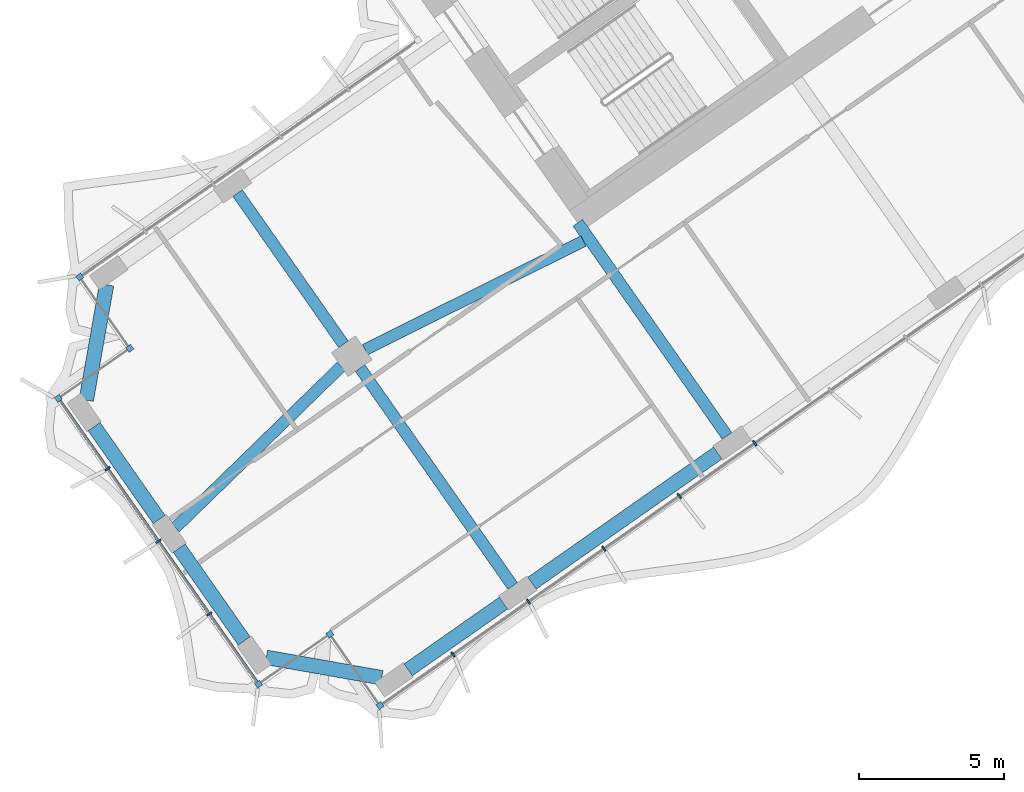
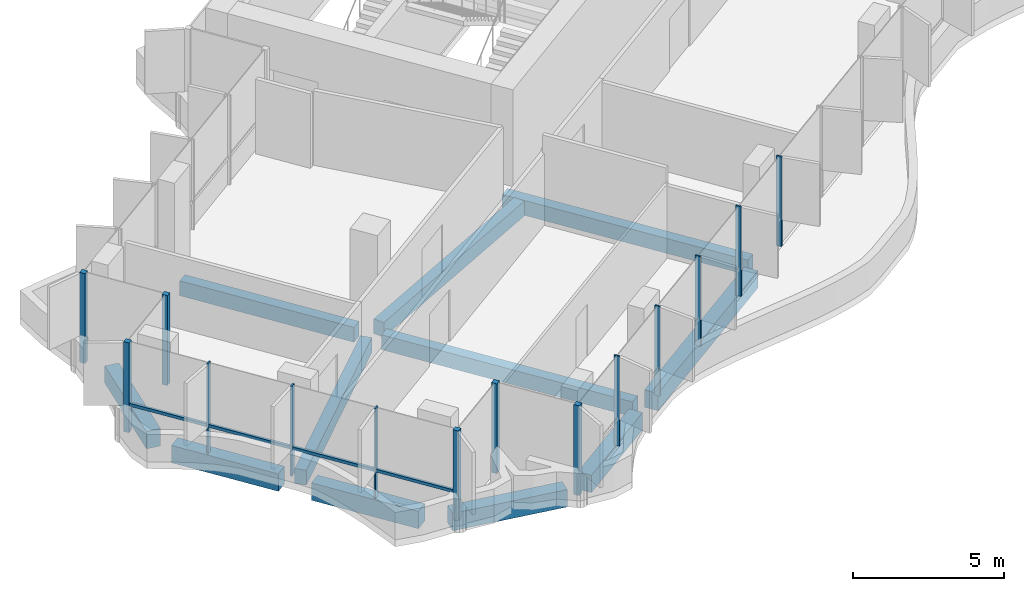
# One storey, part 2 of 21: 15 members, 11 beams, 1 element without a shape of its own.
"""IFC4 building model written with IfcOpenShell, lengths in metres."""

from ifc_helpers import new_model, si_unit, direction, frame, origin, origin_2d, place, context, subcontext, project, spatial, rectangle, extrude, material, material_profile, profile_set, type_object, element, aggregate, save


model = new_model("IFC4")

# Units and contexts
model_context = context("Model", 3, precision=1e-05, world=origin(), true_north=direction((0.0, 1.0)))
body_context = subcontext(model_context, "Body", "Model", "MODEL_VIEW")
ifc_project = project(units=[si_unit("LENGTHUNIT", "METRE"), si_unit("AREAUNIT", "SQUARE_METRE"), si_unit("VOLUMEUNIT", "CUBIC_METRE"), si_unit("PLANEANGLEUNIT", "RADIAN"), si_unit("MASSUNIT", "GRAM", prefix="KILO")], contexts=[model_context])

# Site, building, storey
site_placement = place(None, origin())
site = spatial("IfcSite", under=ifc_project, at=site_placement, CompositionType="ELEMENT")
building_placement = place(site_placement, origin())
building = spatial("IfcBuilding", under=site, at=building_placement, Name="Tel Ilan Convention Tower", CompositionType="ELEMENT")
storey_placement = place(building_placement, frame((0.0, 0.0, 155.39990234375)))
storey = spatial("IfcBuildingStorey", under=building, at=storey_placement, Name="L35", CompositionType="ELEMENT", Elevation=155.39990234375)

# Beams
ifc_material_1 = material(Name="Concrete C40/50", Category="concrete")
ifc_material_profile_1 = material_profile(ifc_material_1, rectangle(XDim=0.39990234375, YDim=0.60009765625, at=origin_2d()), Name="RC 400x600")
ifc_profile_set_1 = profile_set([ifc_material_profile_1], Name="Concrete C40/50")
beam_type_1 = type_object("IfcBeamType", Name="Beam RC 400x600 Concrete C40/50", PredefinedType="BEAM", material=ifc_profile_set_1)
beam_1_placement = place(storey_placement, frame((-16.58203125, -23.391357421875, -0.579833984375), z_axis=(-0.573584999642, 0.819146048141, 0.0), x_axis=(-0.819146048141, -0.573584999642, 0.0)))
element("IfcBeam", 1, at=beam_1_placement, inside=storey, type_object=beam_type_1, Name="L35 beam W-W-F3-core", PredefinedType="BEAM", context=body_context, shape_type="SweptSolid", body=[
    extrude(rectangle(XDim=0.39990234375, YDim=0.60009765625, at=origin_2d()), origin(), (0.0, 0.0, 1.0), 8.949951171875),
])
beam_2_placement = place(storey_placement, frame((-21.52099609375, -16.686279296875, -0.579833984375), z_axis=(-0.895402365524, -0.445257907076, 0.0), x_axis=(0.445257907076, -0.895402365524, 0.0)))
element("IfcBeam", 2, at=beam_2_placement, inside=storey, type_object=beam_type_1, Name="L35 beam W-core-W-M4", PredefinedType="BEAM", context=body_context, shape_type="SweptSolid", body=[
    extrude(rectangle(XDim=0.39990234375, YDim=0.60009765625, at=origin_2d()), origin(), (0.0, 0.0, 1.0), 8.3935546875),
])
beam_3_placement = place(storey_placement, frame((-29.8525390625, -21.001708984375, -0.579833984375), z_axis=(-0.716983836762, -0.697089791793, 0.0), x_axis=(0.697089791793, -0.716983836762, 0.0)))
element("IfcBeam", 3, at=beam_3_placement, inside=storey, type_object=beam_type_1, Name="L35 beam W-W-M4-end", PredefinedType="BEAM", context=body_context, shape_type="SweptSolid", body=[
    extrude(rectangle(XDim=0.39990234375, YDim=0.60009765625, at=origin_2d()), origin(), (0.0, 0.0, 1.0), 7.952392578125),
])
beam_4_placement = place(storey_placement, frame((-29.20263671875, -21.058349609375, -0.579833984375), z_axis=(0.573557249804, -0.819165478519, 0.0), x_axis=(0.819165478519, 0.573557249804, 0.0)))
element("IfcBeam", 4, at=beam_4_placement, inside=storey, type_object=beam_type_1, Name="L35 beam W-W-M4-W-F4", PredefinedType="BEAM", context=body_context, shape_type="SweptSolid", body=[
    extrude(rectangle(XDim=0.39990234375, YDim=0.60009765625, at=origin_2d()), origin(), (0.0, 0.0, 1.0), 9.14990234375),
])
beam_5_placement = place(storey_placement, frame((-29.7763671875, -20.2392578125, -0.579833984375), z_axis=(-0.573560394383, 0.819163276762, 0.0), x_axis=(-0.819163276762, -0.573560394383, 0.0)))
element("IfcBeam", 5, at=beam_5_placement, inside=storey, type_object=beam_type_1, Name="L35 beam W-W-M4-W-B4", PredefinedType="BEAM", context=body_context, shape_type="SweptSolid", body=[
    extrude(rectangle(XDim=0.39990234375, YDim=0.60009765625, at=origin_2d()), origin(), (0.0, 0.0, 1.0), 6.349853515625),
])
ifc_material_2 = material(Name="Concrete C40/50", Category="concrete")
ifc_material_profile_2 = material_profile(ifc_material_2, rectangle(XDim=0.5, YDim=0.699951171875, at=origin_2d()), Name="RC 500x700")
ifc_profile_set_2 = profile_set([ifc_material_profile_2], Name="Concrete C40/50")
beam_type_2 = type_object("IfcBeamType", Name="Beam RC 500x700 Concrete C40/50", PredefinedType="BEAM", material=ifc_profile_set_2)
beam_6_placement = place(storey_placement, frame((-16.901611328125, -23.981201171875, -0.6298828125), z_axis=(-0.819153977895, -0.573573674866, 0.0), x_axis=(0.573573674866, -0.819153977895, 0.0)))
element("IfcBeam", 6, at=beam_6_placement, inside=storey, type_object=beam_type_2, Name="L35 beam W-W-F3-W-F4", PredefinedType="BEAM", context=body_context, shape_type="SweptSolid", body=[
    extrude(rectangle(XDim=0.5, YDim=0.699951171875, at=origin_2d()), origin(), (0.0, 0.0, 1.0), 7.800048828125),
])
beam_7_placement = place(storey_placement, frame((-24.27392578125, -29.1435546875, -0.6298828125), z_axis=(-0.819165963305, -0.573556557423, 0.0), x_axis=(0.573556557423, -0.819165963305, 0.0)))
element("IfcBeam", 7, at=beam_7_placement, inside=storey, type_object=beam_type_2, Name="L35 beam W-W-F4-W-FC", PredefinedType="BEAM", context=body_context, shape_type="SweptSolid", body=[
    extrude(rectangle(XDim=0.5, YDim=0.699951171875, at=origin_2d()), origin(), (0.0, 0.0, 1.0), 4.0),
])
beam_8_placement = place(storey_placement, frame((-28.459716796875, -31.708251953125, -0.6298828125), z_axis=(-0.984806721117, 0.173654029734, 0.0), x_axis=(-0.173654029734, -0.984806721117, 0.0)))
element("IfcBeam", 8, at=beam_8_placement, inside=storey, type_object=beam_type_2, Name="L35 beam W-W-FC-W-E1", PredefinedType="BEAM", context=body_context, shape_type="SweptSolid", body=[
    extrude(rectangle(XDim=0.5, YDim=0.699951171875, at=origin_2d()), origin(), (0.0, 0.0, 1.0), 4.03076171875),
])
for number, where, z_axis, x_axis, name in (
    (9, (-33.19091796875, -30.443115234375, -0.6298828125), (-0.573609383536, 0.819128973434, 0.0), (-0.819128973434, -0.573609383536, 0.0), "L35 beam W-W-E1-W-E2"),
    (10, (-36.1162109375, -26.265380859375, -0.6298828125), (-0.573609383536, 0.819128973434, 0.0), (-0.819128973434, -0.573609383536, 0.0), "L35 beam W-W-E2-W-E3"),
):
    element("IfcBeam", number, at=place(storey_placement, frame(where, z_axis=z_axis, x_axis=x_axis)), inside=storey, type_object=beam_type_2, Name=name, PredefinedType="BEAM", context=body_context, shape_type="SweptSolid", body=[
        extrude(rectangle(XDim=0.5, YDim=0.699951171875, at=origin_2d()), origin(), (0.0, 0.0, 1.0), 3.89990234375),
    ])
beam_9_placement = place(storey_placement, frame((-38.623779296875, -22.16162109375, -0.6298828125), z_axis=(0.173654029734, 0.984806721117, 0.0), x_axis=(-0.984806721117, 0.173654029734, 0.0)))
element("IfcBeam", 11, at=beam_9_placement, inside=storey, type_object=beam_type_2, Name="L35 beam W-W-E3-W-BC", PredefinedType="BEAM", context=body_context, shape_type="SweptSolid", body=[
    extrude(rectangle(XDim=0.5, YDim=0.699951171875, at=origin_2d()), origin(), (0.0, 0.0, 1.0), 4.03076171875),
])

# Curtain wall, members
ifc_material_3 = material(Name="Aluminium, bronze anodised", Category="aluminium")
curtain_wall_type = type_object("IfcCurtainWallType", Name="CW4 STICK CURTAIN WALL, OFFICE TINTED GLASS", PredefinedType="NOTDEFINED", material=ifc_material_3)
curtain_wall_placement = place(storey_placement, origin())
curtain_wall = element("IfcCurtainWall", 12, at=curtain_wall_placement, inside=storey, type_object=curtain_wall_type, Name="Curtain wall CW4-27.02", PredefinedType="NOTDEFINED")
ifc_material_4 = material(Name="Aluminium, bronze anodised", Category="aluminium")
ifc_material_profile_3 = material_profile(ifc_material_4, rectangle(XDim=0.199951171875, YDim=0.199951171875, at=origin_2d()), Name="CW CORNER MULLION 200x200")
ifc_profile_set_3 = profile_set([ifc_material_profile_3], Name="Aluminium, bronze anodised")
member_type_1 = type_object("IfcMemberType", Name="CW CORNER MULLION 200x200", PredefinedType="MULLION", material=ifc_profile_set_3)
member_1_placement = place(storey_placement, frame((-38.845458984375, -17.922119140625, 0.0), z_axis=(0.0, 0.0, 1.0), x_axis=(-0.819152044289, -0.573576436351, 0.0)))
member_1 = element("IfcMember", 13, at=member_1_placement, type_object=member_type_1, Name="Corner mullion", PredefinedType="MULLION", context=body_context, shape_type="SweptSolid", body=[
    extrude(rectangle(XDim=0.199951171875, YDim=0.199951171875, at=origin_2d()), origin(), (0.0, 0.0, 1.0), 3.6201171875),
])
member_2_placement = place(storey_placement, frame((-37.124755859375, -20.37939453125, 0.0), z_axis=(0.0, 0.0, 1.0), x_axis=(0.573576436351, -0.819152044289, 0.0)))
member_2 = element("IfcMember", 14, at=member_2_placement, type_object=member_type_1, Name="Corner mullion", PredefinedType="MULLION", context=body_context, shape_type="SweptSolid", body=[
    extrude(rectangle(XDim=0.199951171875, YDim=0.199951171875, at=origin_2d()), origin(), (0.0, 0.0, 1.0), 3.6201171875),
])
member_3_placement = place(storey_placement, frame((-39.582275390625, -22.10009765625, 0.0), z_axis=(0.0, 0.0, 1.0), x_axis=(-0.819152044289, -0.573576436351, 0.0)))
member_3 = element("IfcMember", 15, at=member_3_placement, type_object=member_type_1, Name="Corner mullion", PredefinedType="MULLION", context=body_context, shape_type="SweptSolid", body=[
    extrude(rectangle(XDim=0.199951171875, YDim=0.199951171875, at=origin_2d()), origin(), (0.0, 0.0, 1.0), 3.6201171875),
])
member_4_placement = place(storey_placement, frame((-32.69921875, -31.929931640625, 0.0), z_axis=(0.0, 0.0, 1.0), x_axis=(0.573576436351, -0.819152044289, 0.0)))
member_4 = element("IfcMember", 16, at=member_4_placement, type_object=member_type_1, Name="Corner mullion", PredefinedType="MULLION", context=body_context, shape_type="SweptSolid", body=[
    extrude(rectangle(XDim=0.199951171875, YDim=0.199951171875, at=origin_2d()), origin(), (0.0, 0.0, 1.0), 3.6201171875),
])
member_5_placement = place(storey_placement, frame((-30.241943359375, -30.209228515625, 0.0), z_axis=(0.0, 0.0, 1.0), x_axis=(0.819152044289, 0.573576436351, 0.0)))
member_5 = element("IfcMember", 17, at=member_5_placement, type_object=member_type_1, Name="Corner mullion", PredefinedType="MULLION", context=body_context, shape_type="SweptSolid", body=[
    extrude(rectangle(XDim=0.199951171875, YDim=0.199951171875, at=origin_2d()), origin(), (0.0, 0.0, 1.0), 3.6201171875),
])
member_6_placement = place(storey_placement, frame((-28.52099609375, -32.666748046875, 0.0), z_axis=(0.0, 0.0, 1.0), x_axis=(0.573576436351, -0.819152044289, 0.0)))
member_6 = element("IfcMember", 18, at=member_6_placement, type_object=member_type_1, Name="Corner mullion", PredefinedType="MULLION", context=body_context, shape_type="SweptSolid", body=[
    extrude(rectangle(XDim=0.199951171875, YDim=0.199951171875, at=origin_2d()), origin(), (0.0, 0.0, 1.0), 3.6201171875),
])
ifc_material_5 = material(Name="Aluminium, bronze anodised", Category="aluminium")
ifc_material_profile_4 = material_profile(ifc_material_5, rectangle(XDim=0.06005859375, YDim=0.199951171875, at=origin_2d()), Name="CW MULLION 60x200")
ifc_profile_set_4 = profile_set([ifc_material_profile_4], Name="Aluminium, bronze anodised")
member_type_2 = type_object("IfcMemberType", Name="CW MULLION 60x200", PredefinedType="MULLION", material=ifc_profile_set_4)
member_7_placement = place(storey_placement, frame((-37.89013671875, -24.5166015625, 0.0), z_axis=(0.0, 0.0, 1.0), x_axis=(0.573576436351, -0.819152044289, 0.0)))
member_7 = element("IfcMember", 19, at=member_7_placement, type_object=member_type_2, Name="Mullion", PredefinedType="MULLION", context=body_context, shape_type="SweptSolid", body=[
    extrude(rectangle(XDim=0.06005859375, YDim=0.199951171875, at=origin_2d()), origin(), (0.0, 0.0, 1.0), 3.6201171875),
])
member_8_placement = place(storey_placement, frame((-36.140869140625, -27.01513671875, 0.0), z_axis=(0.0, 0.0, 1.0), x_axis=(0.573576436351, -0.819152044289, 0.0)))
member_8 = element("IfcMember", 20, at=member_8_placement, type_object=member_type_2, Name="Mullion", PredefinedType="MULLION", context=body_context, shape_type="SweptSolid", body=[
    extrude(rectangle(XDim=0.06005859375, YDim=0.199951171875, at=origin_2d()), origin(), (0.0, 0.0, 1.0), 3.6201171875),
])
member_9_placement = place(storey_placement, frame((-34.391357421875, -29.513427734375, 0.0), z_axis=(0.0, 0.0, 1.0), x_axis=(0.573576436351, -0.819152044289, 0.0)))
member_9 = element("IfcMember", 21, at=member_9_placement, type_object=member_type_2, Name="Mullion", PredefinedType="MULLION", context=body_context, shape_type="SweptSolid", body=[
    extrude(rectangle(XDim=0.06005859375, YDim=0.199951171875, at=origin_2d()), origin(), (0.0, 0.0, 1.0), 3.6201171875),
])
member_10_placement = place(storey_placement, frame((-26.008056640625, -30.906982421875, 0.0), z_axis=(0.0, 0.0, 1.0), x_axis=(0.819152044289, 0.573576436351, 0.0)))
member_10 = element("IfcMember", 22, at=member_10_placement, type_object=member_type_2, Name="Mullion", PredefinedType="MULLION", context=body_context, shape_type="SweptSolid", body=[
    extrude(rectangle(XDim=0.06005859375, YDim=0.199951171875, at=origin_2d()), origin(), (0.0, 0.0, 1.0), 3.6201171875),
])
member_11_placement = place(storey_placement, frame((-23.412841796875, -29.08984375, 0.0), z_axis=(0.0, 0.0, 1.0), x_axis=(0.819152044289, 0.573576436351, 0.0)))
member_11 = element("IfcMember", 23, at=member_11_placement, type_object=member_type_2, Name="Mullion", PredefinedType="MULLION", context=body_context, shape_type="SweptSolid", body=[
    extrude(rectangle(XDim=0.06005859375, YDim=0.199951171875, at=origin_2d()), origin(), (0.0, 0.0, 1.0), 3.6201171875),
])
member_12_placement = place(storey_placement, frame((-20.81787109375, -27.27294921875, 0.0), z_axis=(0.0, 0.0, 1.0), x_axis=(0.819152044289, 0.573576436351, 0.0)))
member_12 = element("IfcMember", 24, at=member_12_placement, type_object=member_type_2, Name="Mullion", PredefinedType="MULLION", context=body_context, shape_type="SweptSolid", body=[
    extrude(rectangle(XDim=0.06005859375, YDim=0.199951171875, at=origin_2d()), origin(), (0.0, 0.0, 1.0), 3.6201171875),
])
member_13_placement = place(storey_placement, frame((-18.222900390625, -25.455810546875, 0.0), z_axis=(0.0, 0.0, 1.0), x_axis=(0.819152044289, 0.573576436351, 0.0)))
member_13 = element("IfcMember", 25, at=member_13_placement, type_object=member_type_2, Name="Mullion", PredefinedType="MULLION", context=body_context, shape_type="SweptSolid", body=[
    extrude(rectangle(XDim=0.06005859375, YDim=0.199951171875, at=origin_2d()), origin(), (0.0, 0.0, 1.0), 3.6201171875),
])
member_14_placement = place(storey_placement, frame((-15.627685546875, -23.638671875, 0.0), z_axis=(0.0, 0.0, 1.0), x_axis=(0.819152044289, 0.573576436351, 0.0)))
member_14 = element("IfcMember", 26, at=member_14_placement, type_object=member_type_2, Name="Mullion", PredefinedType="MULLION", context=body_context, shape_type="SweptSolid", body=[
    extrude(rectangle(XDim=0.06005859375, YDim=0.199951171875, at=origin_2d()), origin(), (0.0, 0.0, 1.0), 3.6201171875),
])
ifc_material_6 = material(Name="Aluminium, bronze anodised", Category="aluminium")
ifc_material_profile_5 = material_profile(ifc_material_6, rectangle(XDim=0.10009765625, YDim=0.1201171875, at=origin_2d()), Name="CW TRANSOM 100x120")
ifc_profile_set_5 = profile_set([ifc_material_profile_5], Name="Aluminium, bronze anodised")
member_type_3 = type_object("IfcMemberType", Name="CW TRANSOM 100x120", PredefinedType="USERDEFINED", material=ifc_profile_set_5)
member_15_placement = place(storey_placement, frame((-39.52490234375, -22.18212890625, 1.10009765625), z_axis=(0.573581755582, -0.819148319698, 0.0), x_axis=(0.819148319698, 0.573581755582, 0.0)))
member_15 = element("IfcMember", 27, at=member_15_placement, type_object=member_type_3, Name="Transom", ObjectType="TRANSOM", PredefinedType="USERDEFINED", context=body_context, shape_type="SweptSolid", body=[
    extrude(rectangle(XDim=0.10009765625, YDim=0.1201171875, at=origin_2d()), origin(), (0.0, 0.0, 1.0), 11.800048828125),
])
aggregate(curtain_wall, [member_1, member_2, member_3, member_7, member_8, member_9, member_4, member_15, member_5, member_6, member_10, member_11, member_12, member_13, member_14])

save(model, "model.ifc")
